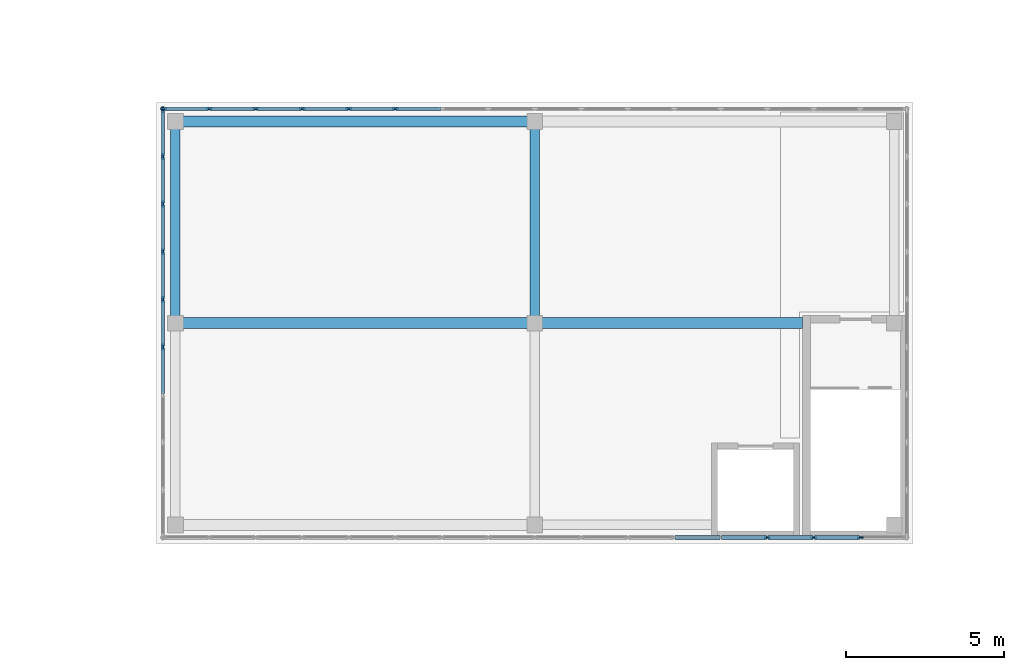
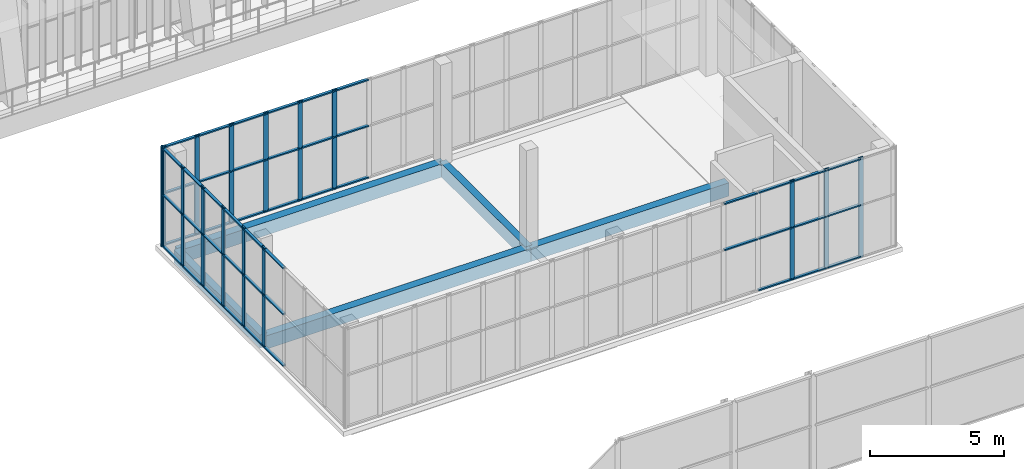
# One storey, part 27 of 92: 62 members, 5 beams, 3 elements without a shape of their own.
"""IFC4 building model written with IfcOpenShell, lengths in metres."""

from ifc_helpers import new_model, si_unit, direction, frame, origin, origin_2d, place, context, subcontext, project, spatial, rectangle, extrude, material, layer, layer_set, material_profile, profile_set, type_object, element, aggregate, save


model = new_model("IFC4")

# Units and contexts
model_context = context("Model", 3, precision=1e-05, world=origin(), true_north=direction((0.0, 1.0)))
body_context = subcontext(model_context, "Body", "Model", "MODEL_VIEW")
ifc_project = project(units=[si_unit("LENGTHUNIT", "METRE"), si_unit("AREAUNIT", "SQUARE_METRE"), si_unit("VOLUMEUNIT", "CUBIC_METRE"), si_unit("PLANEANGLEUNIT", "RADIAN"), si_unit("MASSUNIT", "GRAM", prefix="KILO")], contexts=[model_context])

# Site, building, storey
site_placement = place(None, origin())
site = spatial("IfcSite", under=ifc_project, at=site_placement, CompositionType="ELEMENT")
building_placement = place(site_placement, origin())
building = spatial("IfcBuilding", under=site, at=building_placement, Name="Lantern Court Media Centre", CompositionType="ELEMENT")
storey_placement = place(building_placement, frame((0.0, 0.0, 4.800048828125)))
storey = spatial("IfcBuildingStorey", under=building, at=storey_placement, Name="L01", CompositionType="ELEMENT", Elevation=4.800048828125)

# Curtain wall, members
ifc_material_1 = material(Name="Aluminium and glass", Category="aluminium")
ifc_layer = layer(ifc_material_1, 0.14990234375)
ifc_layer_set = layer_set([ifc_layer], Name="Aluminium and glass")
curtain_wall_type = type_object("IfcCurtainWallType", Name="Hall lancet glazing", PredefinedType="NOTDEFINED", material=ifc_layer_set)
curtain_wall_1_placement = place(storey_placement, origin())
curtain_wall_1 = element("IfcCurtainWall", 1, at=curtain_wall_1_placement, inside=storey, type_object=curtain_wall_type, Name="Press box glazing S 3", PredefinedType="NOTDEFINED")
ifc_material_2 = material(Name="Aluminium, anodised", Category="aluminium")
ifc_material_profile_1 = material_profile(ifc_material_2, rectangle(XDim=0.06005859375, YDim=0.199951171875, at=origin_2d()), Name="HM")
ifc_profile_set_1 = profile_set([ifc_material_profile_1], Name="Aluminium, anodised")
member_type_1 = type_object("IfcMemberType", Name="HM", PredefinedType="MULLION", material=ifc_profile_set_1)
member_1_placement = place(storey_placement, frame((59.375, 73.199951171875, 0.0), z_axis=(0.0, 0.0, 1.0), x_axis=(0.0, 1.0, 0.0)))
member_1 = element("IfcMember", 2, at=member_1_placement, type_object=member_type_1, Name="HCW-PS3 mullion 14", PredefinedType="MULLION", context=body_context, shape_type="SweptSolid", body=[
    extrude(rectangle(XDim=0.06005859375, YDim=0.199951171875, at=origin_2d()), origin(), (0.0, 0.0, 1.0), 4.550048828125),
])
member_2_placement = place(storey_placement, frame((60.85009765625, 73.199951171875, 0.0), z_axis=(0.0, 0.0, 1.0), x_axis=(0.0, 1.0, 0.0)))
member_2 = element("IfcMember", 3, at=member_2_placement, type_object=member_type_1, Name="HCW-PS3 mullion 15", PredefinedType="MULLION", context=body_context, shape_type="SweptSolid", body=[
    extrude(rectangle(XDim=0.06005859375, YDim=0.199951171875, at=origin_2d()), origin(), (0.0, 0.0, 1.0), 4.550048828125),
])
member_3_placement = place(storey_placement, frame((62.324951171875, 73.199951171875, 0.0), z_axis=(0.0, 0.0, 1.0), x_axis=(0.0, 1.0, 0.0)))
member_3 = element("IfcMember", 4, at=member_3_placement, type_object=member_type_1, Name="HCW-PS3 mullion 16", PredefinedType="MULLION", context=body_context, shape_type="SweptSolid", body=[
    extrude(rectangle(XDim=0.06005859375, YDim=0.199951171875, at=origin_2d()), origin(), (0.0, 0.0, 1.0), 4.550048828125),
])

curtain_wall_2_placement = place(storey_placement, origin())
curtain_wall_2 = element("IfcCurtainWall", 5, at=curtain_wall_2_placement, inside=storey, type_object=curtain_wall_type, Name="Press box glazing N 3", PredefinedType="NOTDEFINED")
member_4_placement = place(storey_placement, frame((40.22998046875, 86.800048828125, 0.0), z_axis=(0.0, 0.0, 1.0), x_axis=(0.0, 1.0, 0.0)))
member_4 = element("IfcMember", 6, at=member_4_placement, type_object=member_type_1, Name="HCW-PN3 mullion 1", PredefinedType="MULLION", context=body_context, shape_type="SweptSolid", body=[
    extrude(rectangle(XDim=0.06005859375, YDim=0.199951171875, at=origin_2d()), origin(), (0.0, 0.0, 1.0), 4.550048828125),
])
member_5_placement = place(storey_placement, frame((41.675048828125, 86.800048828125, 0.0), z_axis=(0.0, 0.0, 1.0), x_axis=(0.0, 1.0, 0.0)))
member_5 = element("IfcMember", 7, at=member_5_placement, type_object=member_type_1, Name="HCW-PN3 mullion 2", PredefinedType="MULLION", context=body_context, shape_type="SweptSolid", body=[
    extrude(rectangle(XDim=0.06005859375, YDim=0.199951171875, at=origin_2d()), origin(), (0.0, 0.0, 1.0), 4.550048828125),
])
member_6_placement = place(storey_placement, frame((43.14990234375, 86.800048828125, 0.0), z_axis=(0.0, 0.0, 1.0), x_axis=(0.0, 1.0, 0.0)))
member_6 = element("IfcMember", 8, at=member_6_placement, type_object=member_type_1, Name="HCW-PN3 mullion 3", PredefinedType="MULLION", context=body_context, shape_type="SweptSolid", body=[
    extrude(rectangle(XDim=0.06005859375, YDim=0.199951171875, at=origin_2d()), origin(), (0.0, 0.0, 1.0), 4.550048828125),
])
member_7_placement = place(storey_placement, frame((44.625, 86.800048828125, 0.0), z_axis=(0.0, 0.0, 1.0), x_axis=(0.0, 1.0, 0.0)))
member_7 = element("IfcMember", 9, at=member_7_placement, type_object=member_type_1, Name="HCW-PN3 mullion 4", PredefinedType="MULLION", context=body_context, shape_type="SweptSolid", body=[
    extrude(rectangle(XDim=0.06005859375, YDim=0.199951171875, at=origin_2d()), origin(), (0.0, 0.0, 1.0), 4.550048828125),
])
member_8_placement = place(storey_placement, frame((46.10009765625, 86.800048828125, 0.0), z_axis=(0.0, 0.0, 1.0), x_axis=(0.0, 1.0, 0.0)))
member_8 = element("IfcMember", 10, at=member_8_placement, type_object=member_type_1, Name="HCW-PN3 mullion 5", PredefinedType="MULLION", context=body_context, shape_type="SweptSolid", body=[
    extrude(rectangle(XDim=0.06005859375, YDim=0.199951171875, at=origin_2d()), origin(), (0.0, 0.0, 1.0), 4.550048828125),
])
member_9_placement = place(storey_placement, frame((47.574951171875, 86.800048828125, 0.0), z_axis=(0.0, 0.0, 1.0), x_axis=(0.0, 1.0, 0.0)))
member_9 = element("IfcMember", 11, at=member_9_placement, type_object=member_type_1, Name="HCW-PN3 mullion 6", PredefinedType="MULLION", context=body_context, shape_type="SweptSolid", body=[
    extrude(rectangle(XDim=0.06005859375, YDim=0.199951171875, at=origin_2d()), origin(), (0.0, 0.0, 1.0), 4.550048828125),
])

curtain_wall_3_placement = place(storey_placement, origin())
curtain_wall_3 = element("IfcCurtainWall", 12, at=curtain_wall_3_placement, inside=storey, type_object=curtain_wall_type, Name="Press box glazing W 3", PredefinedType="NOTDEFINED")
member_10_placement = place(storey_placement, frame((40.199951171875, 79.244384765625, 0.0), z_axis=(0.0, 0.0, 1.0), x_axis=(-1.0, 0.0, 0.0)))
member_10 = element("IfcMember", 13, at=member_10_placement, type_object=member_type_1, Name="HCW-PW3 mullion 5", PredefinedType="MULLION", context=body_context, shape_type="SweptSolid", body=[
    extrude(rectangle(XDim=0.06005859375, YDim=0.199951171875, at=origin_2d()), origin(), (0.0, 0.0, 1.0), 4.550048828125),
])
member_11_placement = place(storey_placement, frame((40.199951171875, 80.755615234375, 0.0), z_axis=(0.0, 0.0, 1.0), x_axis=(-1.0, 0.0, 0.0)))
member_11 = element("IfcMember", 14, at=member_11_placement, type_object=member_type_1, Name="HCW-PW3 mullion 6", PredefinedType="MULLION", context=body_context, shape_type="SweptSolid", body=[
    extrude(rectangle(XDim=0.06005859375, YDim=0.199951171875, at=origin_2d()), origin(), (0.0, 0.0, 1.0), 4.550048828125),
])
member_12_placement = place(storey_placement, frame((40.199951171875, 82.2666015625, 0.0), z_axis=(0.0, 0.0, 1.0), x_axis=(-1.0, 0.0, 0.0)))
member_12 = element("IfcMember", 15, at=member_12_placement, type_object=member_type_1, Name="HCW-PW3 mullion 7", PredefinedType="MULLION", context=body_context, shape_type="SweptSolid", body=[
    extrude(rectangle(XDim=0.06005859375, YDim=0.199951171875, at=origin_2d()), origin(), (0.0, 0.0, 1.0), 4.550048828125),
])
member_13_placement = place(storey_placement, frame((40.199951171875, 83.77783203125, 0.0), z_axis=(0.0, 0.0, 1.0), x_axis=(-1.0, 0.0, 0.0)))
member_13 = element("IfcMember", 16, at=member_13_placement, type_object=member_type_1, Name="HCW-PW3 mullion 8", PredefinedType="MULLION", context=body_context, shape_type="SweptSolid", body=[
    extrude(rectangle(XDim=0.06005859375, YDim=0.199951171875, at=origin_2d()), origin(), (0.0, 0.0, 1.0), 4.550048828125),
])
member_14_placement = place(storey_placement, frame((40.199951171875, 85.288818359375, 0.0), z_axis=(0.0, 0.0, 1.0), x_axis=(-1.0, 0.0, 0.0)))
member_14 = element("IfcMember", 17, at=member_14_placement, type_object=member_type_1, Name="HCW-PW3 mullion 9", PredefinedType="MULLION", context=body_context, shape_type="SweptSolid", body=[
    extrude(rectangle(XDim=0.06005859375, YDim=0.199951171875, at=origin_2d()), origin(), (0.0, 0.0, 1.0), 4.550048828125),
])
member_15_placement = place(storey_placement, frame((40.199951171875, 86.77001953125, 0.0), z_axis=(0.0, 0.0, 1.0), x_axis=(-1.0, 0.0, 0.0)))
member_15 = element("IfcMember", 18, at=member_15_placement, type_object=member_type_1, Name="HCW-PW3 mullion 10", PredefinedType="MULLION", context=body_context, shape_type="SweptSolid", body=[
    extrude(rectangle(XDim=0.06005859375, YDim=0.199951171875, at=origin_2d()), origin(), (0.0, 0.0, 1.0), 4.550048828125),
])

# Member
ifc_material_profile_2 = material_profile(ifc_material_2, rectangle(XDim=0.1201171875, YDim=0.06005859375, at=origin_2d()), Name="HT")
ifc_profile_set_2 = profile_set([ifc_material_profile_2], Name="Aluminium, anodised")
member_type_2 = type_object("IfcMemberType", Name="HT", PredefinedType="USERDEFINED", material=ifc_profile_set_2)
member_16_placement = place(storey_placement, frame((56.455078125, 73.199951171875, 2.39990234375), z_axis=(1.0, 0.0, 0.0), x_axis=(0.0, 1.0, 0.0)))
member_16 = element("IfcMember", 19, at=member_16_placement, type_object=member_type_2, Name="HCW-PS3 transom 12.2", ObjectType="TRANSOM", PredefinedType="USERDEFINED", context=body_context, shape_type="SweptSolid", body=[
    extrude(rectangle(XDim=0.1201171875, YDim=0.06005859375, at=origin_2d()), origin(), (0.0, 0.0, 1.0), 1.4150390625),
])

member_17_placement = place(storey_placement, frame((56.455078125, 73.199951171875, 4.489990234375), z_axis=(1.0, 0.0, 0.0), x_axis=(0.0, 1.0, 0.0)))
member_17 = element("IfcMember", 20, at=member_17_placement, type_object=member_type_2, Name="HCW-PS3 transom 12.3", ObjectType="TRANSOM", PredefinedType="USERDEFINED", context=body_context, shape_type="SweptSolid", body=[
    extrude(rectangle(XDim=0.1201171875, YDim=0.06005859375, at=origin_2d()), origin(), (0.0, 0.0, 1.0), 1.4150390625),
])

member_18_placement = place(storey_placement, frame((57.929931640625, 73.199951171875, 0.06005859375), z_axis=(1.0, 0.0, 0.0), x_axis=(0.0, 1.0, 0.0)))
member_18 = element("IfcMember", 21, at=member_18_placement, type_object=member_type_2, Name="HCW-PS3 transom 13.1", ObjectType="TRANSOM", PredefinedType="USERDEFINED", context=body_context, shape_type="SweptSolid", body=[
    extrude(rectangle(XDim=0.1201171875, YDim=0.06005859375, at=origin_2d()), origin(), (0.0, 0.0, 1.0), 1.4150390625),
])

member_19_placement = place(storey_placement, frame((57.929931640625, 73.199951171875, 2.39990234375), z_axis=(1.0, 0.0, 0.0), x_axis=(0.0, 1.0, 0.0)))
member_19 = element("IfcMember", 22, at=member_19_placement, type_object=member_type_2, Name="HCW-PS3 transom 13.2", ObjectType="TRANSOM", PredefinedType="USERDEFINED", context=body_context, shape_type="SweptSolid", body=[
    extrude(rectangle(XDim=0.1201171875, YDim=0.06005859375, at=origin_2d()), origin(), (0.0, 0.0, 1.0), 1.4150390625),
])

member_20_placement = place(storey_placement, frame((57.929931640625, 73.199951171875, 4.489990234375), z_axis=(1.0, 0.0, 0.0), x_axis=(0.0, 1.0, 0.0)))
member_20 = element("IfcMember", 23, at=member_20_placement, type_object=member_type_2, Name="HCW-PS3 transom 13.3", ObjectType="TRANSOM", PredefinedType="USERDEFINED", context=body_context, shape_type="SweptSolid", body=[
    extrude(rectangle(XDim=0.1201171875, YDim=0.06005859375, at=origin_2d()), origin(), (0.0, 0.0, 1.0), 1.4150390625),
])

member_21_placement = place(storey_placement, frame((59.405029296875, 73.199951171875, 0.06005859375), z_axis=(1.0, 0.0, 0.0), x_axis=(0.0, 1.0, 0.0)))
member_21 = element("IfcMember", 24, at=member_21_placement, type_object=member_type_2, Name="HCW-PS3 transom 14.1", ObjectType="TRANSOM", PredefinedType="USERDEFINED", context=body_context, shape_type="SweptSolid", body=[
    extrude(rectangle(XDim=0.1201171875, YDim=0.06005859375, at=origin_2d()), origin(), (0.0, 0.0, 1.0), 1.4150390625),
])

member_22_placement = place(storey_placement, frame((59.405029296875, 73.199951171875, 2.39990234375), z_axis=(1.0, 0.0, 0.0), x_axis=(0.0, 1.0, 0.0)))
member_22 = element("IfcMember", 25, at=member_22_placement, type_object=member_type_2, Name="HCW-PS3 transom 14.2", ObjectType="TRANSOM", PredefinedType="USERDEFINED", context=body_context, shape_type="SweptSolid", body=[
    extrude(rectangle(XDim=0.1201171875, YDim=0.06005859375, at=origin_2d()), origin(), (0.0, 0.0, 1.0), 1.4150390625),
])

member_23_placement = place(storey_placement, frame((59.405029296875, 73.199951171875, 4.489990234375), z_axis=(1.0, 0.0, 0.0), x_axis=(0.0, 1.0, 0.0)))
member_23 = element("IfcMember", 26, at=member_23_placement, type_object=member_type_2, Name="HCW-PS3 transom 14.3", ObjectType="TRANSOM", PredefinedType="USERDEFINED", context=body_context, shape_type="SweptSolid", body=[
    extrude(rectangle(XDim=0.1201171875, YDim=0.06005859375, at=origin_2d()), origin(), (0.0, 0.0, 1.0), 1.4150390625),
])

member_24_placement = place(storey_placement, frame((60.8798828125, 73.199951171875, 0.06005859375), z_axis=(1.0, 0.0, 0.0), x_axis=(0.0, 1.0, 0.0)))
member_24 = element("IfcMember", 27, at=member_24_placement, type_object=member_type_2, Name="HCW-PS3 transom 15.1", ObjectType="TRANSOM", PredefinedType="USERDEFINED", context=body_context, shape_type="SweptSolid", body=[
    extrude(rectangle(XDim=0.1201171875, YDim=0.06005859375, at=origin_2d()), origin(), (0.0, 0.0, 1.0), 1.4150390625),
])

member_25_placement = place(storey_placement, frame((60.8798828125, 73.199951171875, 2.39990234375), z_axis=(1.0, 0.0, 0.0), x_axis=(0.0, 1.0, 0.0)))
member_25 = element("IfcMember", 28, at=member_25_placement, type_object=member_type_2, Name="HCW-PS3 transom 15.2", ObjectType="TRANSOM", PredefinedType="USERDEFINED", context=body_context, shape_type="SweptSolid", body=[
    extrude(rectangle(XDim=0.1201171875, YDim=0.06005859375, at=origin_2d()), origin(), (0.0, 0.0, 1.0), 1.4150390625),
])

member_26_placement = place(storey_placement, frame((60.8798828125, 73.199951171875, 4.489990234375), z_axis=(1.0, 0.0, 0.0), x_axis=(0.0, 1.0, 0.0)))
member_26 = element("IfcMember", 29, at=member_26_placement, type_object=member_type_2, Name="HCW-PS3 transom 15.3", ObjectType="TRANSOM", PredefinedType="USERDEFINED", context=body_context, shape_type="SweptSolid", body=[
    extrude(rectangle(XDim=0.1201171875, YDim=0.06005859375, at=origin_2d()), origin(), (0.0, 0.0, 1.0), 1.4150390625),
])

aggregate(curtain_wall_1, [member_1, member_2, member_3, member_16, member_17, member_18, member_19, member_20, member_21, member_22, member_23, member_24, member_25, member_26])

member_27_placement = place(storey_placement, frame((40.260009765625, 86.800048828125, 0.06005859375), z_axis=(1.0, 0.0, 0.0), x_axis=(0.0, 1.0, 0.0)))
member_27 = element("IfcMember", 30, at=member_27_placement, type_object=member_type_2, Name="HCW-PN3 transom 1.1", ObjectType="TRANSOM", PredefinedType="USERDEFINED", context=body_context, shape_type="SweptSolid", body=[
    extrude(rectangle(XDim=0.1201171875, YDim=0.06005859375, at=origin_2d()), origin(), (0.0, 0.0, 1.0), 1.385009765625),
])

member_28_placement = place(storey_placement, frame((40.260009765625, 86.800048828125, 2.39990234375), z_axis=(1.0, 0.0, 0.0), x_axis=(0.0, 1.0, 0.0)))
member_28 = element("IfcMember", 31, at=member_28_placement, type_object=member_type_2, Name="HCW-PN3 transom 1.2", ObjectType="TRANSOM", PredefinedType="USERDEFINED", context=body_context, shape_type="SweptSolid", body=[
    extrude(rectangle(XDim=0.1201171875, YDim=0.06005859375, at=origin_2d()), origin(), (0.0, 0.0, 1.0), 1.385009765625),
])

member_29_placement = place(storey_placement, frame((40.260009765625, 86.800048828125, 4.489990234375), z_axis=(1.0, 0.0, 0.0), x_axis=(0.0, 1.0, 0.0)))
member_29 = element("IfcMember", 32, at=member_29_placement, type_object=member_type_2, Name="HCW-PN3 transom 1.3", ObjectType="TRANSOM", PredefinedType="USERDEFINED", context=body_context, shape_type="SweptSolid", body=[
    extrude(rectangle(XDim=0.1201171875, YDim=0.06005859375, at=origin_2d()), origin(), (0.0, 0.0, 1.0), 1.385009765625),
])

member_30_placement = place(storey_placement, frame((41.705078125, 86.800048828125, 0.06005859375), z_axis=(1.0, 0.0, 0.0), x_axis=(0.0, 1.0, 0.0)))
member_30 = element("IfcMember", 33, at=member_30_placement, type_object=member_type_2, Name="HCW-PN3 transom 2.1", ObjectType="TRANSOM", PredefinedType="USERDEFINED", context=body_context, shape_type="SweptSolid", body=[
    extrude(rectangle(XDim=0.1201171875, YDim=0.06005859375, at=origin_2d()), origin(), (0.0, 0.0, 1.0), 1.4150390625),
])

member_31_placement = place(storey_placement, frame((41.705078125, 86.800048828125, 2.39990234375), z_axis=(1.0, 0.0, 0.0), x_axis=(0.0, 1.0, 0.0)))
member_31 = element("IfcMember", 34, at=member_31_placement, type_object=member_type_2, Name="HCW-PN3 transom 2.2", ObjectType="TRANSOM", PredefinedType="USERDEFINED", context=body_context, shape_type="SweptSolid", body=[
    extrude(rectangle(XDim=0.1201171875, YDim=0.06005859375, at=origin_2d()), origin(), (0.0, 0.0, 1.0), 1.4150390625),
])

member_32_placement = place(storey_placement, frame((41.705078125, 86.800048828125, 4.489990234375), z_axis=(1.0, 0.0, 0.0), x_axis=(0.0, 1.0, 0.0)))
member_32 = element("IfcMember", 35, at=member_32_placement, type_object=member_type_2, Name="HCW-PN3 transom 2.3", ObjectType="TRANSOM", PredefinedType="USERDEFINED", context=body_context, shape_type="SweptSolid", body=[
    extrude(rectangle(XDim=0.1201171875, YDim=0.06005859375, at=origin_2d()), origin(), (0.0, 0.0, 1.0), 1.4150390625),
])

member_33_placement = place(storey_placement, frame((43.179931640625, 86.800048828125, 0.06005859375), z_axis=(1.0, 0.0, 0.0), x_axis=(0.0, 1.0, 0.0)))
member_33 = element("IfcMember", 36, at=member_33_placement, type_object=member_type_2, Name="HCW-PN3 transom 3.1", ObjectType="TRANSOM", PredefinedType="USERDEFINED", context=body_context, shape_type="SweptSolid", body=[
    extrude(rectangle(XDim=0.1201171875, YDim=0.06005859375, at=origin_2d()), origin(), (0.0, 0.0, 1.0), 1.4150390625),
])

member_34_placement = place(storey_placement, frame((43.179931640625, 86.800048828125, 2.39990234375), z_axis=(1.0, 0.0, 0.0), x_axis=(0.0, 1.0, 0.0)))
member_34 = element("IfcMember", 37, at=member_34_placement, type_object=member_type_2, Name="HCW-PN3 transom 3.2", ObjectType="TRANSOM", PredefinedType="USERDEFINED", context=body_context, shape_type="SweptSolid", body=[
    extrude(rectangle(XDim=0.1201171875, YDim=0.06005859375, at=origin_2d()), origin(), (0.0, 0.0, 1.0), 1.4150390625),
])

member_35_placement = place(storey_placement, frame((43.179931640625, 86.800048828125, 4.489990234375), z_axis=(1.0, 0.0, 0.0), x_axis=(0.0, 1.0, 0.0)))
member_35 = element("IfcMember", 38, at=member_35_placement, type_object=member_type_2, Name="HCW-PN3 transom 3.3", ObjectType="TRANSOM", PredefinedType="USERDEFINED", context=body_context, shape_type="SweptSolid", body=[
    extrude(rectangle(XDim=0.1201171875, YDim=0.06005859375, at=origin_2d()), origin(), (0.0, 0.0, 1.0), 1.4150390625),
])

member_36_placement = place(storey_placement, frame((44.655029296875, 86.800048828125, 0.06005859375), z_axis=(1.0, 0.0, 0.0), x_axis=(0.0, 1.0, 0.0)))
member_36 = element("IfcMember", 39, at=member_36_placement, type_object=member_type_2, Name="HCW-PN3 transom 4.1", ObjectType="TRANSOM", PredefinedType="USERDEFINED", context=body_context, shape_type="SweptSolid", body=[
    extrude(rectangle(XDim=0.1201171875, YDim=0.06005859375, at=origin_2d()), origin(), (0.0, 0.0, 1.0), 1.4150390625),
])

member_37_placement = place(storey_placement, frame((44.655029296875, 86.800048828125, 2.39990234375), z_axis=(1.0, 0.0, 0.0), x_axis=(0.0, 1.0, 0.0)))
member_37 = element("IfcMember", 40, at=member_37_placement, type_object=member_type_2, Name="HCW-PN3 transom 4.2", ObjectType="TRANSOM", PredefinedType="USERDEFINED", context=body_context, shape_type="SweptSolid", body=[
    extrude(rectangle(XDim=0.1201171875, YDim=0.06005859375, at=origin_2d()), origin(), (0.0, 0.0, 1.0), 1.4150390625),
])

member_38_placement = place(storey_placement, frame((44.655029296875, 86.800048828125, 4.489990234375), z_axis=(1.0, 0.0, 0.0), x_axis=(0.0, 1.0, 0.0)))
member_38 = element("IfcMember", 41, at=member_38_placement, type_object=member_type_2, Name="HCW-PN3 transom 4.3", ObjectType="TRANSOM", PredefinedType="USERDEFINED", context=body_context, shape_type="SweptSolid", body=[
    extrude(rectangle(XDim=0.1201171875, YDim=0.06005859375, at=origin_2d()), origin(), (0.0, 0.0, 1.0), 1.4150390625),
])

member_39_placement = place(storey_placement, frame((46.1298828125, 86.800048828125, 0.06005859375), z_axis=(1.0, 0.0, 0.0), x_axis=(0.0, 1.0, 0.0)))
member_39 = element("IfcMember", 42, at=member_39_placement, type_object=member_type_2, Name="HCW-PN3 transom 5.1", ObjectType="TRANSOM", PredefinedType="USERDEFINED", context=body_context, shape_type="SweptSolid", body=[
    extrude(rectangle(XDim=0.1201171875, YDim=0.06005859375, at=origin_2d()), origin(), (0.0, 0.0, 1.0), 1.4150390625),
])

member_40_placement = place(storey_placement, frame((46.1298828125, 86.800048828125, 2.39990234375), z_axis=(1.0, 0.0, 0.0), x_axis=(0.0, 1.0, 0.0)))
member_40 = element("IfcMember", 43, at=member_40_placement, type_object=member_type_2, Name="HCW-PN3 transom 5.2", ObjectType="TRANSOM", PredefinedType="USERDEFINED", context=body_context, shape_type="SweptSolid", body=[
    extrude(rectangle(XDim=0.1201171875, YDim=0.06005859375, at=origin_2d()), origin(), (0.0, 0.0, 1.0), 1.4150390625),
])

member_41_placement = place(storey_placement, frame((46.1298828125, 86.800048828125, 4.489990234375), z_axis=(1.0, 0.0, 0.0), x_axis=(0.0, 1.0, 0.0)))
member_41 = element("IfcMember", 44, at=member_41_placement, type_object=member_type_2, Name="HCW-PN3 transom 5.3", ObjectType="TRANSOM", PredefinedType="USERDEFINED", context=body_context, shape_type="SweptSolid", body=[
    extrude(rectangle(XDim=0.1201171875, YDim=0.06005859375, at=origin_2d()), origin(), (0.0, 0.0, 1.0), 1.4150390625),
])

member_42_placement = place(storey_placement, frame((47.60498046875, 86.800048828125, 0.06005859375), z_axis=(1.0, 0.0, 0.0), x_axis=(0.0, 1.0, 0.0)))
member_42 = element("IfcMember", 45, at=member_42_placement, type_object=member_type_2, Name="HCW-PN3 transom 6.1", ObjectType="TRANSOM", PredefinedType="USERDEFINED", context=body_context, shape_type="SweptSolid", body=[
    extrude(rectangle(XDim=0.1201171875, YDim=0.06005859375, at=origin_2d()), origin(), (0.0, 0.0, 1.0), 1.4150390625),
])

member_43_placement = place(storey_placement, frame((47.60498046875, 86.800048828125, 2.39990234375), z_axis=(1.0, 0.0, 0.0), x_axis=(0.0, 1.0, 0.0)))
member_43 = element("IfcMember", 46, at=member_43_placement, type_object=member_type_2, Name="HCW-PN3 transom 6.2", ObjectType="TRANSOM", PredefinedType="USERDEFINED", context=body_context, shape_type="SweptSolid", body=[
    extrude(rectangle(XDim=0.1201171875, YDim=0.06005859375, at=origin_2d()), origin(), (0.0, 0.0, 1.0), 1.4150390625),
])

member_44_placement = place(storey_placement, frame((47.60498046875, 86.800048828125, 4.489990234375), z_axis=(1.0, 0.0, 0.0), x_axis=(0.0, 1.0, 0.0)))
member_44 = element("IfcMember", 47, at=member_44_placement, type_object=member_type_2, Name="HCW-PN3 transom 6.3", ObjectType="TRANSOM", PredefinedType="USERDEFINED", context=body_context, shape_type="SweptSolid", body=[
    extrude(rectangle(XDim=0.1201171875, YDim=0.06005859375, at=origin_2d()), origin(), (0.0, 0.0, 1.0), 1.4150390625),
])

aggregate(curtain_wall_2, [member_4, member_5, member_6, member_7, member_8, member_9, member_27, member_28, member_29, member_30, member_31, member_32, member_33, member_34, member_35, member_36, member_37, member_38, member_39, member_40, member_41, member_42, member_43, member_44])

member_45_placement = place(storey_placement, frame((40.199951171875, 77.763427734375, 0.06005859375), z_axis=(0.0, 1.0, 0.0), x_axis=(-1.0, 0.0, 0.0)))
member_45 = element("IfcMember", 48, at=member_45_placement, type_object=member_type_2, Name="HCW-PW3 transom 4.1", ObjectType="TRANSOM", PredefinedType="USERDEFINED", context=body_context, shape_type="SweptSolid", body=[
    extrude(rectangle(XDim=0.1201171875, YDim=0.06005859375, at=origin_2d()), origin(), (0.0, 0.0, 1.0), 1.450927734375),
])

member_46_placement = place(storey_placement, frame((40.199951171875, 77.763427734375, 2.39990234375), z_axis=(0.0, 1.0, 0.0), x_axis=(-1.0, 0.0, 0.0)))
member_46 = element("IfcMember", 49, at=member_46_placement, type_object=member_type_2, Name="HCW-PW3 transom 4.2", ObjectType="TRANSOM", PredefinedType="USERDEFINED", context=body_context, shape_type="SweptSolid", body=[
    extrude(rectangle(XDim=0.1201171875, YDim=0.06005859375, at=origin_2d()), origin(), (0.0, 0.0, 1.0), 1.450927734375),
])

member_47_placement = place(storey_placement, frame((40.199951171875, 77.763427734375, 4.489990234375), z_axis=(0.0, 1.0, 0.0), x_axis=(-1.0, 0.0, 0.0)))
member_47 = element("IfcMember", 50, at=member_47_placement, type_object=member_type_2, Name="HCW-PW3 transom 4.3", ObjectType="TRANSOM", PredefinedType="USERDEFINED", context=body_context, shape_type="SweptSolid", body=[
    extrude(rectangle(XDim=0.1201171875, YDim=0.06005859375, at=origin_2d()), origin(), (0.0, 0.0, 1.0), 1.450927734375),
])

member_48_placement = place(storey_placement, frame((40.199951171875, 79.2744140625, 0.06005859375), z_axis=(0.0, 1.0, 0.0), x_axis=(-1.0, 0.0, 0.0)))
member_48 = element("IfcMember", 51, at=member_48_placement, type_object=member_type_2, Name="HCW-PW3 transom 5.1", ObjectType="TRANSOM", PredefinedType="USERDEFINED", context=body_context, shape_type="SweptSolid", body=[
    extrude(rectangle(XDim=0.1201171875, YDim=0.06005859375, at=origin_2d()), origin(), (0.0, 0.0, 1.0), 1.451171875),
])

member_49_placement = place(storey_placement, frame((40.199951171875, 79.2744140625, 2.39990234375), z_axis=(0.0, 1.0, 0.0), x_axis=(-1.0, 0.0, 0.0)))
member_49 = element("IfcMember", 52, at=member_49_placement, type_object=member_type_2, Name="HCW-PW3 transom 5.2", ObjectType="TRANSOM", PredefinedType="USERDEFINED", context=body_context, shape_type="SweptSolid", body=[
    extrude(rectangle(XDim=0.1201171875, YDim=0.06005859375, at=origin_2d()), origin(), (0.0, 0.0, 1.0), 1.451171875),
])

member_50_placement = place(storey_placement, frame((40.199951171875, 79.2744140625, 4.489990234375), z_axis=(0.0, 1.0, 0.0), x_axis=(-1.0, 0.0, 0.0)))
member_50 = element("IfcMember", 53, at=member_50_placement, type_object=member_type_2, Name="HCW-PW3 transom 5.3", ObjectType="TRANSOM", PredefinedType="USERDEFINED", context=body_context, shape_type="SweptSolid", body=[
    extrude(rectangle(XDim=0.1201171875, YDim=0.06005859375, at=origin_2d()), origin(), (0.0, 0.0, 1.0), 1.451171875),
])

member_51_placement = place(storey_placement, frame((40.199951171875, 80.78564453125, 0.06005859375), z_axis=(0.0, 1.0, 0.0), x_axis=(-1.0, 0.0, 0.0)))
member_51 = element("IfcMember", 54, at=member_51_placement, type_object=member_type_2, Name="HCW-PW3 transom 6.1", ObjectType="TRANSOM", PredefinedType="USERDEFINED", context=body_context, shape_type="SweptSolid", body=[
    extrude(rectangle(XDim=0.1201171875, YDim=0.06005859375, at=origin_2d()), origin(), (0.0, 0.0, 1.0), 1.450927734375),
])

member_52_placement = place(storey_placement, frame((40.199951171875, 80.78564453125, 2.39990234375), z_axis=(0.0, 1.0, 0.0), x_axis=(-1.0, 0.0, 0.0)))
member_52 = element("IfcMember", 55, at=member_52_placement, type_object=member_type_2, Name="HCW-PW3 transom 6.2", ObjectType="TRANSOM", PredefinedType="USERDEFINED", context=body_context, shape_type="SweptSolid", body=[
    extrude(rectangle(XDim=0.1201171875, YDim=0.06005859375, at=origin_2d()), origin(), (0.0, 0.0, 1.0), 1.450927734375),
])

member_53_placement = place(storey_placement, frame((40.199951171875, 80.78564453125, 4.489990234375), z_axis=(0.0, 1.0, 0.0), x_axis=(-1.0, 0.0, 0.0)))
member_53 = element("IfcMember", 56, at=member_53_placement, type_object=member_type_2, Name="HCW-PW3 transom 6.3", ObjectType="TRANSOM", PredefinedType="USERDEFINED", context=body_context, shape_type="SweptSolid", body=[
    extrude(rectangle(XDim=0.1201171875, YDim=0.06005859375, at=origin_2d()), origin(), (0.0, 0.0, 1.0), 1.450927734375),
])

member_54_placement = place(storey_placement, frame((40.199951171875, 82.296630859375, 0.06005859375), z_axis=(0.0, 1.0, 0.0), x_axis=(-1.0, 0.0, 0.0)))
member_54 = element("IfcMember", 57, at=member_54_placement, type_object=member_type_2, Name="HCW-PW3 transom 7.1", ObjectType="TRANSOM", PredefinedType="USERDEFINED", context=body_context, shape_type="SweptSolid", body=[
    extrude(rectangle(XDim=0.1201171875, YDim=0.06005859375, at=origin_2d()), origin(), (0.0, 0.0, 1.0), 1.451171875),
])

member_55_placement = place(storey_placement, frame((40.199951171875, 82.296630859375, 2.39990234375), z_axis=(0.0, 1.0, 0.0), x_axis=(-1.0, 0.0, 0.0)))
member_55 = element("IfcMember", 58, at=member_55_placement, type_object=member_type_2, Name="HCW-PW3 transom 7.2", ObjectType="TRANSOM", PredefinedType="USERDEFINED", context=body_context, shape_type="SweptSolid", body=[
    extrude(rectangle(XDim=0.1201171875, YDim=0.06005859375, at=origin_2d()), origin(), (0.0, 0.0, 1.0), 1.451171875),
])

member_56_placement = place(storey_placement, frame((40.199951171875, 82.296630859375, 4.489990234375), z_axis=(0.0, 1.0, 0.0), x_axis=(-1.0, 0.0, 0.0)))
member_56 = element("IfcMember", 59, at=member_56_placement, type_object=member_type_2, Name="HCW-PW3 transom 7.3", ObjectType="TRANSOM", PredefinedType="USERDEFINED", context=body_context, shape_type="SweptSolid", body=[
    extrude(rectangle(XDim=0.1201171875, YDim=0.06005859375, at=origin_2d()), origin(), (0.0, 0.0, 1.0), 1.451171875),
])

member_57_placement = place(storey_placement, frame((40.199951171875, 83.807861328125, 0.06005859375), z_axis=(0.0, 1.0, 0.0), x_axis=(-1.0, 0.0, 0.0)))
member_57 = element("IfcMember", 60, at=member_57_placement, type_object=member_type_2, Name="HCW-PW3 transom 8.1", ObjectType="TRANSOM", PredefinedType="USERDEFINED", context=body_context, shape_type="SweptSolid", body=[
    extrude(rectangle(XDim=0.1201171875, YDim=0.06005859375, at=origin_2d()), origin(), (0.0, 0.0, 1.0), 1.450927734375),
])

member_58_placement = place(storey_placement, frame((40.199951171875, 83.807861328125, 2.39990234375), z_axis=(0.0, 1.0, 0.0), x_axis=(-1.0, 0.0, 0.0)))
member_58 = element("IfcMember", 61, at=member_58_placement, type_object=member_type_2, Name="HCW-PW3 transom 8.2", ObjectType="TRANSOM", PredefinedType="USERDEFINED", context=body_context, shape_type="SweptSolid", body=[
    extrude(rectangle(XDim=0.1201171875, YDim=0.06005859375, at=origin_2d()), origin(), (0.0, 0.0, 1.0), 1.450927734375),
])

member_59_placement = place(storey_placement, frame((40.199951171875, 83.807861328125, 4.489990234375), z_axis=(0.0, 1.0, 0.0), x_axis=(-1.0, 0.0, 0.0)))
member_59 = element("IfcMember", 62, at=member_59_placement, type_object=member_type_2, Name="HCW-PW3 transom 8.3", ObjectType="TRANSOM", PredefinedType="USERDEFINED", context=body_context, shape_type="SweptSolid", body=[
    extrude(rectangle(XDim=0.1201171875, YDim=0.06005859375, at=origin_2d()), origin(), (0.0, 0.0, 1.0), 1.450927734375),
])

member_60_placement = place(storey_placement, frame((40.199951171875, 85.31884765625, 0.06005859375), z_axis=(0.0, 1.0, 0.0), x_axis=(-1.0, 0.0, 0.0)))
member_60 = element("IfcMember", 63, at=member_60_placement, type_object=member_type_2, Name="HCW-PW3 transom 9.1", ObjectType="TRANSOM", PredefinedType="USERDEFINED", context=body_context, shape_type="SweptSolid", body=[
    extrude(rectangle(XDim=0.1201171875, YDim=0.06005859375, at=origin_2d()), origin(), (0.0, 0.0, 1.0), 1.421142578125),
])

member_61_placement = place(storey_placement, frame((40.199951171875, 85.31884765625, 2.39990234375), z_axis=(0.0, 1.0, 0.0), x_axis=(-1.0, 0.0, 0.0)))
member_61 = element("IfcMember", 64, at=member_61_placement, type_object=member_type_2, Name="HCW-PW3 transom 9.2", ObjectType="TRANSOM", PredefinedType="USERDEFINED", context=body_context, shape_type="SweptSolid", body=[
    extrude(rectangle(XDim=0.1201171875, YDim=0.06005859375, at=origin_2d()), origin(), (0.0, 0.0, 1.0), 1.421142578125),
])

member_62_placement = place(storey_placement, frame((40.199951171875, 85.31884765625, 4.489990234375), z_axis=(0.0, 1.0, 0.0), x_axis=(-1.0, 0.0, 0.0)))
member_62 = element("IfcMember", 65, at=member_62_placement, type_object=member_type_2, Name="HCW-PW3 transom 9.3", ObjectType="TRANSOM", PredefinedType="USERDEFINED", context=body_context, shape_type="SweptSolid", body=[
    extrude(rectangle(XDim=0.1201171875, YDim=0.06005859375, at=origin_2d()), origin(), (0.0, 0.0, 1.0), 1.421142578125),
])

aggregate(curtain_wall_3, [member_10, member_11, member_12, member_13, member_14, member_15, member_45, member_46, member_47, member_48, member_49, member_50, member_51, member_52, member_53, member_54, member_55, member_56, member_57, member_58, member_59, member_60, member_61, member_62])

# Beams
ifc_material_3 = material(Name="Concrete C35", Category="concrete")
ifc_material_profile_3 = material_profile(ifc_material_3, rectangle(XDim=0.300048828125, YDim=0.60009765625, at=origin_2d()), Name="RC 300x600")
ifc_profile_set_3 = profile_set([ifc_material_profile_3], Name="Concrete C35")
beam_type_1 = type_object("IfcBeamType", Name="RC BEAM 300x600", PredefinedType="BEAM", material=ifc_profile_set_3)
for number, where, z_axis, x_axis, name in (
    (66, (40.60009765625, 80.0, -0.300048828125), (0.0, 1.0, 0.0), (-1.0, 0.0, 0.0), "PB-PRESS-L01-Y0-1"),
    (67, (52.0, 80.0, -0.300048828125), (0.0, 1.0, 0.0), (-1.0, 0.0, 0.0), "PB-PRESS-L01-Y1-1"),
):
    element("IfcBeam", number, at=place(storey_placement, frame(where, z_axis=z_axis, x_axis=x_axis)), inside=storey, type_object=beam_type_1, Name=name, PredefinedType="BEAM", context=body_context, shape_type="SweptSolid", body=[
        extrude(rectangle(XDim=0.300048828125, YDim=0.60009765625, at=origin_2d()), origin(), (0.0, 0.0, 1.0), 6.39990234375),
    ])
ifc_material_profile_4 = material_profile(ifc_material_3, rectangle(XDim=0.35009765625, YDim=0.60009765625, at=origin_2d()), Name="RC 350x600")
ifc_profile_set_4 = profile_set([ifc_material_profile_4], Name="Concrete C35")
beam_type_2 = type_object("IfcBeamType", Name="RC BEAM 350x600", PredefinedType="BEAM", material=ifc_profile_set_4)
beam_1_placement = place(storey_placement, frame((40.60009765625, 80.0, -0.300048828125), z_axis=(1.0, 0.0, 0.0), x_axis=(0.0, 1.0, 0.0)))
element("IfcBeam", 68, at=beam_1_placement, inside=storey, type_object=beam_type_2, Name="PB-PRESS-L01-X1-0", PredefinedType="BEAM", context=body_context, shape_type="SweptSolid", body=[
    extrude(rectangle(XDim=0.35009765625, YDim=0.60009765625, at=origin_2d()), origin(), (0.0, 0.0, 1.0), 11.39990234375),
])
beam_2_placement = place(storey_placement, frame((52.0, 80.0, -0.300048828125), z_axis=(1.0, 0.0, 0.0), x_axis=(0.0, 1.0, 0.0)))
element("IfcBeam", 69, at=beam_2_placement, inside=storey, type_object=beam_type_2, Name="PB-PRESS-L01-X1-1", PredefinedType="BEAM", context=body_context, shape_type="SweptSolid", body=[
    extrude(rectangle(XDim=0.35009765625, YDim=0.60009765625, at=origin_2d()), origin(), (0.0, 0.0, 1.0), 8.5),
])
beam_3_placement = place(storey_placement, frame((40.60009765625, 86.39990234375, -0.300048828125), z_axis=(1.0, 0.0, 0.0), x_axis=(0.0, 1.0, 0.0)))
element("IfcBeam", 70, at=beam_3_placement, inside=storey, type_object=beam_type_2, Name="PB-PRESS-L01-X2-0", PredefinedType="BEAM", context=body_context, shape_type="SweptSolid", body=[
    extrude(rectangle(XDim=0.35009765625, YDim=0.60009765625, at=origin_2d()), origin(), (0.0, 0.0, 1.0), 11.39990234375),
])

save(model, "model.ifc")
